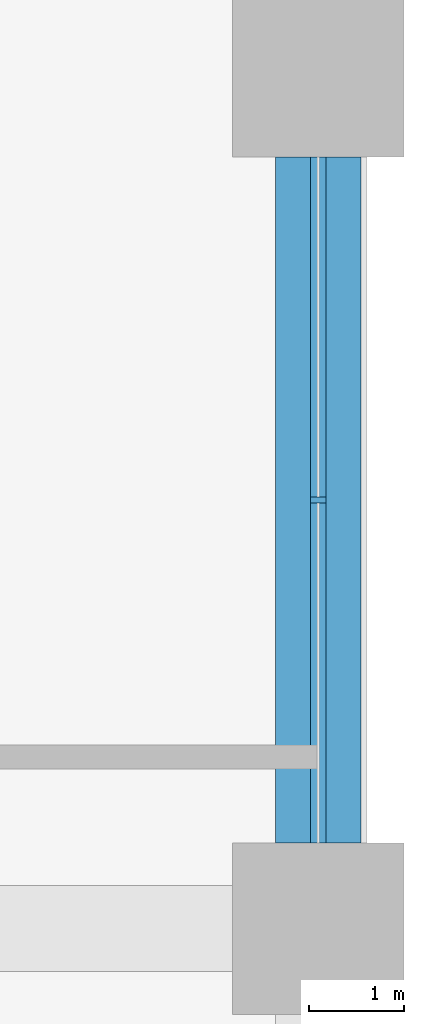
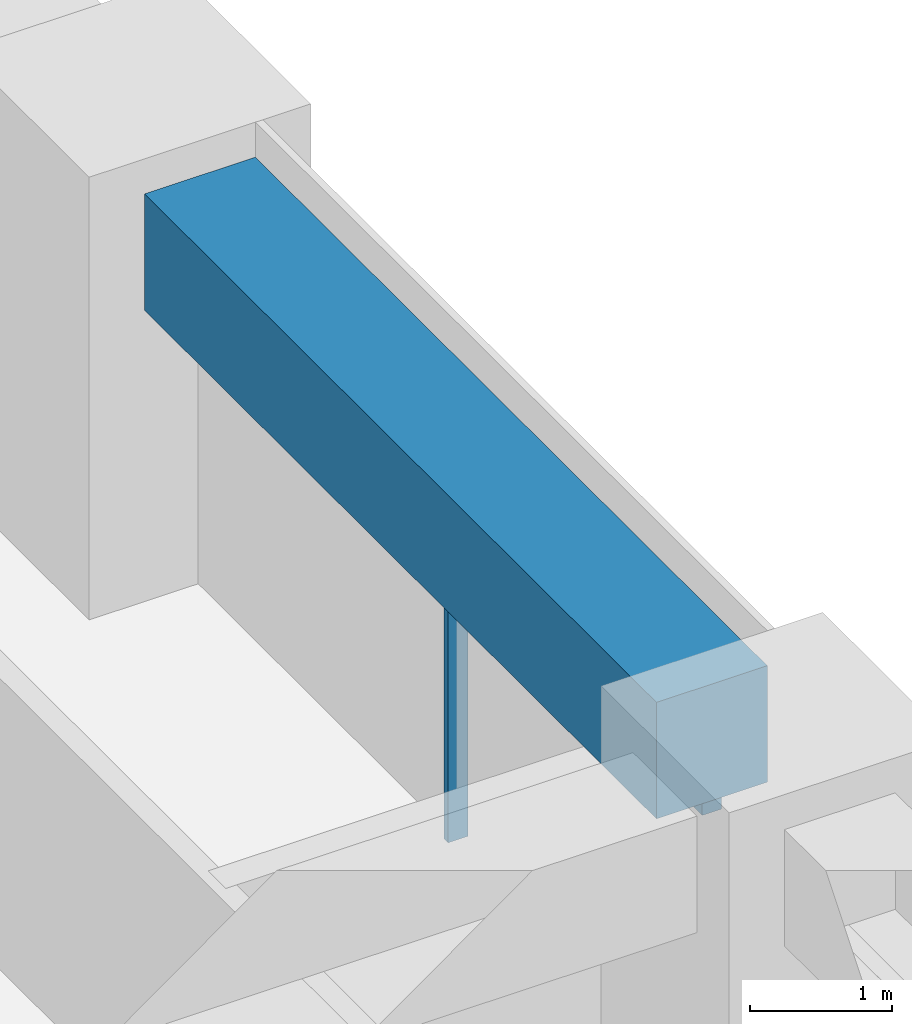
# One storey, part 7 of 21: 2 members, 1 beam, 1 element without a shape of its own.
"""IFC4 building model written with IfcOpenShell, lengths in metres."""

from ifc_helpers import new_model, si_unit, direction, frame, origin, origin_2d, place, context, subcontext, project, spatial, rectangle, extrude, material, material_profile, profile_set, type_object, element, aggregate, save


model = new_model("IFC4")

# Units and contexts
model_context = context("Model", 3, precision=1e-05, world=origin(), true_north=direction((0.0, 1.0)))
body_context = subcontext(model_context, "Body", "Model", "MODEL_VIEW")
ifc_project = project(units=[si_unit("LENGTHUNIT", "METRE"), si_unit("AREAUNIT", "SQUARE_METRE"), si_unit("VOLUMEUNIT", "CUBIC_METRE"), si_unit("PLANEANGLEUNIT", "RADIAN"), si_unit("MASSUNIT", "GRAM", prefix="KILO")], contexts=[model_context])

# Site, building, storey
site_placement = place(None, origin())
site = spatial("IfcSite", under=ifc_project, at=site_placement, CompositionType="ELEMENT")
building_placement = place(site_placement, origin())
building = spatial("IfcBuilding", under=site, at=building_placement, Name="Tessera Arch", CompositionType="ELEMENT")
storey_placement = place(building_placement, frame((0.0, 0.0, 69.0)))
storey = spatial("IfcBuildingStorey", under=building, at=storey_placement, Name="L15", CompositionType="ELEMENT", Elevation=69.0)

# Curtain wall, members
ifc_material_1 = material(Name="CW1 curtain wall")
curtain_wall_type = type_object("IfcCurtainWallType", Name="CW1 curtain wall", PredefinedType="NOTDEFINED", material=ifc_material_1)
curtain_wall_placement = place(storey_placement, origin())
curtain_wall = element("IfcCurtainWall", 1, at=curtain_wall_placement, inside=storey, type_object=curtain_wall_type, Name="CW1 curtain wall E54.0/3 L15", PredefinedType="NOTDEFINED")
ifc_material_2 = material(Name="Anodised aluminium pale metal", Category="aluminium")
ifc_material_profile_1 = material_profile(ifc_material_2, rectangle(XDim=0.159912109375, YDim=0.06005859375, at=origin_2d()), Name="AL 60x160")
ifc_profile_set_1 = profile_set([ifc_material_profile_1], Name="Anodised aluminium pale metal")
member_type_1 = type_object("IfcMemberType", Name="CW1 mullion", PredefinedType="MULLION", material=ifc_profile_set_1)
member_1_placement = place(storey_placement, frame((54.0, 31.5, 0.0), z_axis=(0.0, 0.0, 1.0), x_axis=(-1.0, 0.0, 0.0)))
member_1 = element("IfcMember", 2, at=member_1_placement, type_object=member_type_1, Name="CW1 mullion E54.0/3 1", PredefinedType="MULLION", context=body_context, shape_type="SweptSolid", body=[
    extrude(rectangle(XDim=0.159912109375, YDim=0.06005859375, at=origin_2d()), origin(), (0.0, 0.0, 1.0), 2.39990234375),
])
ifc_material_3 = material(Name="Anodised aluminium pale metal", Category="aluminium")
ifc_material_profile_2 = material_profile(ifc_material_3, rectangle(XDim=0.159912109375, YDim=0.10009765625, at=origin_2d()), Name="AL 160x100")
ifc_profile_set_2 = profile_set([ifc_material_profile_2], Name="Anodised aluminium pale metal")
member_type_2 = type_object("IfcMemberType", Name="CW1 transom", PredefinedType="USERDEFINED", material=ifc_profile_set_2)
member_2_placement = place(storey_placement, frame((54.0, 27.89990234375, 2.449951171875), z_axis=(0.0, 1.0, 0.0), x_axis=(-1.0, 0.0, 0.0)))
member_2 = element("IfcMember", 3, at=member_2_placement, type_object=member_type_2, Name="CW1 transom E54.0/3 1.1", ObjectType="TRANSOM", PredefinedType="USERDEFINED", context=body_context, shape_type="SweptSolid", body=[
    extrude(rectangle(XDim=0.159912109375, YDim=0.10009765625, at=origin_2d()), origin(), (0.0, 0.0, 1.0), 7.2001953125),
])
aggregate(curtain_wall, [member_1, member_2])

# Beam
ifc_material_4 = material(Name="Concrete C80/95", Category="concrete")
ifc_material_profile_3 = material_profile(ifc_material_4, rectangle(XDim=0.89990234375, YDim=1.0, at=origin_2d()), Name="RC spandrel beam 900 x 1000 Concrete C80/95")
ifc_profile_set_3 = profile_set([ifc_material_profile_3], Name="Concrete C80/95")
beam_type = type_object("IfcBeamType", Name="RC spandrel beam 900 x 1000 Concrete C80/95", PredefinedType="BEAM", material=ifc_profile_set_3)
beam_placement = place(storey_placement, frame((54.0, 27.89990234375, 3.0), z_axis=(0.0, 1.0, 0.0), x_axis=(-1.0, 0.0, 0.0)))
element("IfcBeam", 4, at=beam_placement, inside=storey, type_object=beam_type, Name="Spandrel beam L15 E54.0/3", PredefinedType="BEAM", context=body_context, shape_type="SweptSolid", body=[
    extrude(rectangle(XDim=0.89990234375, YDim=1.0, at=origin_2d()), origin(), (0.0, 0.0, 1.0), 7.2001953125),
])

save(model, "model.ifc")
